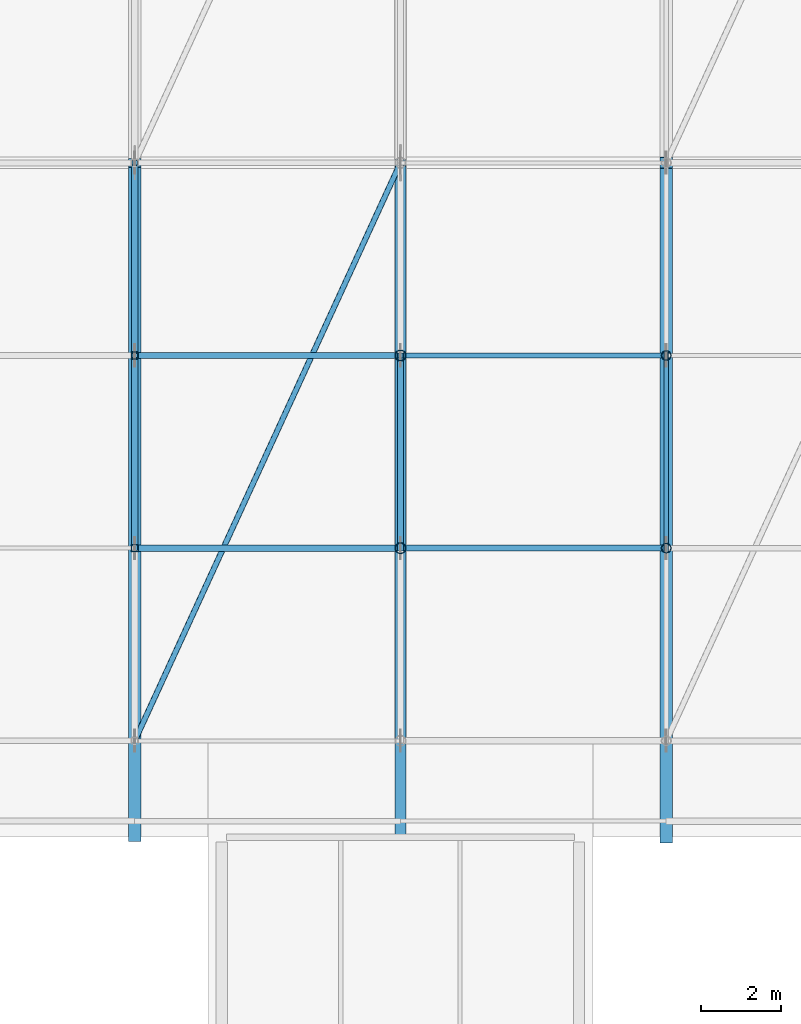
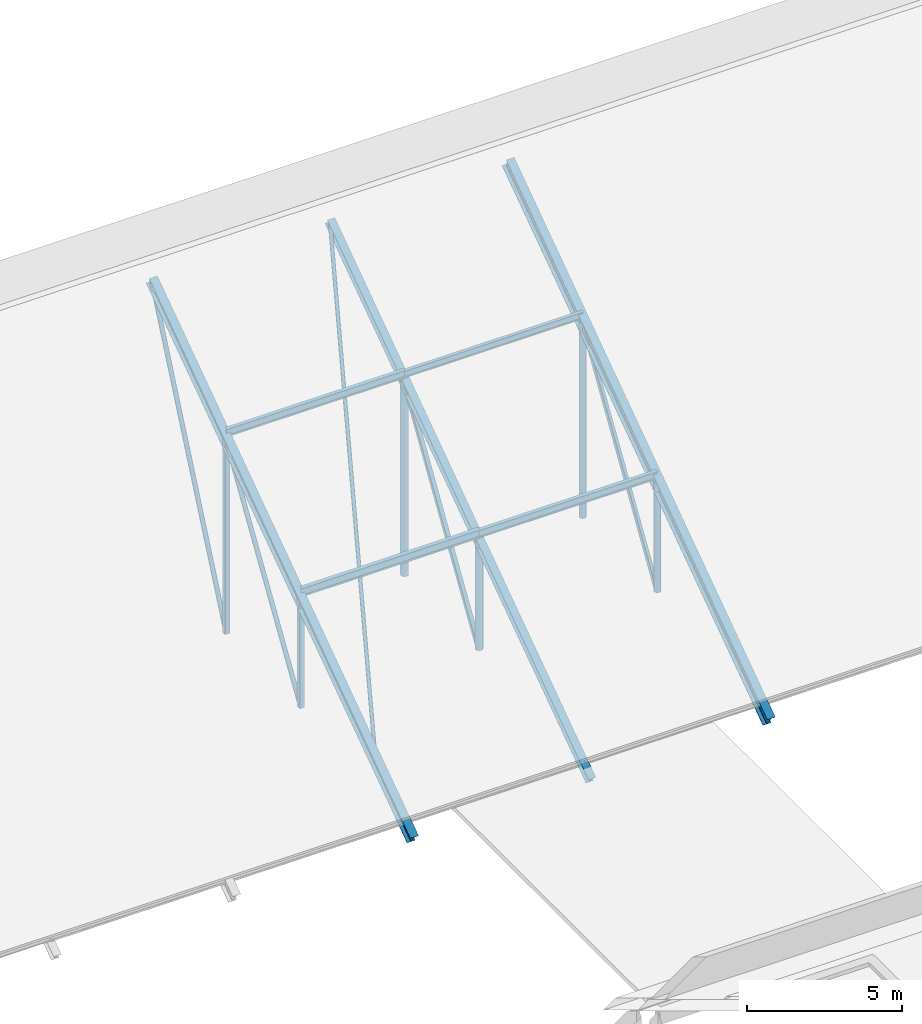
# One storey, part 57 of 134: 18 members.
"""IFC4 building model written with IfcOpenShell, lengths in metres."""

from ifc_helpers import new_model, si_unit, direction, frame, origin, origin_2d, place, context, subcontext, project, spatial, hollow_rectangle, hollow_circle, i_section, extrude, material, material_profile, profile_set, type_object, element, save


model = new_model("IFC4")

# Units and contexts
model_context = context("Model", 3, precision=1e-05, world=origin(), true_north=direction((0.0, 1.0)))
body_context = subcontext(model_context, "Body", "Model", "MODEL_VIEW")
ifc_project = project(units=[si_unit("LENGTHUNIT", "METRE"), si_unit("AREAUNIT", "SQUARE_METRE"), si_unit("VOLUMEUNIT", "CUBIC_METRE"), si_unit("PLANEANGLEUNIT", "RADIAN"), si_unit("MASSUNIT", "GRAM", prefix="KILO")], contexts=[model_context])

# Site, building, storey
site_placement = place(None, origin())
site = spatial("IfcSite", under=ifc_project, at=site_placement, CompositionType="ELEMENT")
building_placement = place(site_placement, origin())
building = spatial("IfcBuilding", under=site, at=building_placement, Name="Asteropetra Specialist Clinic", CompositionType="ELEMENT")
storey_placement = place(building_placement, frame((0.0, 0.0, 8.5)))
storey = spatial("IfcBuildingStorey", under=building, at=storey_placement, Name="L02", CompositionType="ELEMENT", Elevation=8.5)

# Members
ifc_material_1 = material(Name="Steel S355", Category="steel")
ifc_material_profile_1 = material_profile(ifc_material_1, hollow_circle(Radius=0.06982421875, WallThickness=0.008056640625, at=origin_2d()), Name="CHS 139.7x8.0")
ifc_profile_set_1 = profile_set([ifc_material_profile_1], Name="Steel S355")
member_type_1 = type_object("IfcMemberType", Name="TR-BRC-CHS139", PredefinedType="BRACE", material=ifc_profile_set_1)
member_1_placement = place(storey_placement, frame((113.3798828125, 76.800048828125, 1.3466796875), z_axis=(0.352113296071, 0.76590745054, 0.537960968787), x_axis=(-0.908582368877, 0.417705732503, 0.0)))
element("IfcMember", 1, at=member_1_placement, inside=storey, type_object=member_type_1, Name="Roof Wind Brace TRV1-RB1-05", PredefinedType="BRACE", context=body_context, shape_type="SweptSolid", body=[
    extrude(hollow_circle(Radius=0.06982421875, WallThickness=0.008056640625, at=origin_2d()), origin(), (0.0, 0.0, 1.0), 18.801025390625),
])
ifc_material_2 = material(Name="Steel S355", Category="steel")
ifc_material_profile_2 = material_profile(ifc_material_2, hollow_circle(Radius=0.084228515625, WallThickness=0.008056640625, at=origin_2d()), Name="CHS 168.3x8.0")
ifc_profile_set_2 = profile_set([ifc_material_profile_2], Name="Steel S355")
member_type_2 = type_object("IfcMemberType", Name="TR-BRC-CHS168", PredefinedType="BRACE", material=ifc_profile_set_2)
member_2_placement = place(storey_placement, frame((113.3798828125, 81.60009765625, 0.4951171875), z_axis=(0.0, 0.534254703951, 0.845323554212), x_axis=(-1.0, 0.0, 0.0)))
element("IfcMember", 2, at=member_2_placement, inside=storey, type_object=member_type_2, Name="Truss Web Diagonal TRV1-D05-1", PredefinedType="BRACE", context=body_context, shape_type="SweptSolid", body=[
    extrude(hollow_circle(Radius=0.084228515625, WallThickness=0.008056640625, at=origin_2d()), origin(), (0.0, 0.0, 1.0), 8.984130859375),
])
member_3_placement = place(storey_placement, frame((113.3798828125, 86.39990234375, 0.4951171875), z_axis=(0.0, 0.400994294125, 0.916080551087), x_axis=(-1.0, 0.0, 0.0)))
element("IfcMember", 3, at=member_3_placement, inside=storey, type_object=member_type_2, Name="Truss Web Diagonal TRV1-D05-2", PredefinedType="BRACE", context=body_context, shape_type="SweptSolid", body=[
    extrude(hollow_circle(Radius=0.084228515625, WallThickness=0.008056640625, at=origin_2d()), origin(), (0.0, 0.0, 1.0), 11.970458984375),
])
ifc_material_3 = material(Name="Steel S355", Category="steel")
ifc_material_profile_3 = material_profile(ifc_material_3, hollow_rectangle(XDim=0.1201171875, YDim=0.199951171875, WallThickness=0.010009765625, InnerFilletRadius=0.008056640625, OuterFilletRadius=0.01611328125, at=origin_2d()), Name="RHS 200x120x10.0")
ifc_profile_set_3 = profile_set([ifc_material_profile_3], Name="Steel S355")
member_type_3 = type_object("IfcMemberType", Name="TR-BRC-RHS200", PredefinedType="BRACE", material=ifc_profile_set_3)
member_4_placement = place(storey_placement, frame((126.6201171875, 81.60009765625, 0.419921875), z_axis=(0.0, 0.530496073374, 0.847687392932), x_axis=(-1.0, 0.0, 0.0)))
element("IfcMember", 4, at=member_4_placement, inside=storey, type_object=member_type_3, Name="Truss Web Diagonal TRV1-D07-1", PredefinedType="BRACE", context=body_context, shape_type="SweptSolid", body=[
    extrude(hollow_rectangle(XDim=0.1201171875, YDim=0.199951171875, WallThickness=0.010009765625, InnerFilletRadius=0.008056640625, OuterFilletRadius=0.01611328125, at=origin_2d()), origin(), (0.0, 0.0, 1.0), 9.0478515625),
])
ifc_material_4 = material(Name="Steel S355", Category="steel")
ifc_material_profile_4 = material_profile(ifc_material_4, hollow_rectangle(XDim=0.159912109375, YDim=0.159912109375, WallThickness=0.008056640625, InnerFilletRadius=0.008056640625, OuterFilletRadius=0.01611328125, at=origin_2d()), Name="SHS 160x160x8.0")
ifc_profile_set_4 = profile_set([ifc_material_profile_4], Name="Steel S355")
member_type_4 = type_object("IfcMemberType", Name="TR-BRC-SHS160", PredefinedType="BRACE", material=ifc_profile_set_4)
member_5_placement = place(storey_placement, frame((120.0, 81.60009765625, 0.469970703125), z_axis=(0.0, 0.532993018055, 0.846119638529), x_axis=(-1.0, 0.0, 0.0)))
element("IfcMember", 5, at=member_5_placement, inside=storey, type_object=member_type_4, Name="Truss Web Diagonal TRV1-D06-1", PredefinedType="BRACE", context=body_context, shape_type="SweptSolid", body=[
    extrude(hollow_rectangle(XDim=0.159912109375, YDim=0.159912109375, WallThickness=0.008056640625, InnerFilletRadius=0.008056640625, OuterFilletRadius=0.01611328125, at=origin_2d()), origin(), (0.0, 0.0, 1.0), 9.00537109375),
])
ifc_material_5 = material(Name="Steel S355", Category="steel")
ifc_material_profile_5 = material_profile(ifc_material_5, i_section(OverallWidth=0.300048828125, OverallDepth=0.389892578125, WebThickness=0.010986328125, FlangeThickness=0.01904296875, FilletRadius=0.027099609375, at=origin_2d()), Name="HEA 400")
ifc_profile_set_5 = profile_set([ifc_material_profile_5], Name="Steel S355")
member_type_5 = type_object("IfcMemberType", Name="TR-CHD-HEA400", PredefinedType="CHORD", material=ifc_profile_set_5)
member_6_placement = place(storey_placement, frame((113.3798828125, 74.39990234375, -0.339111328125), z_axis=(0.0, 0.818315202226, 0.574769718936), x_axis=(-1.0, 0.0, 0.0)))
element("IfcMember", 6, at=member_6_placement, inside=storey, type_object=member_type_5, Name="Truss South Top Chord TRV1-TCS05", PredefinedType="CHORD", context=body_context, shape_type="SweptSolid", body=[
    extrude(i_section(OverallWidth=0.300048828125, OverallDepth=0.389892578125, WebThickness=0.010986328125, FlangeThickness=0.01904296875, FilletRadius=0.027099609375, at=origin_2d()), origin(), (0.0, 0.0, 1.0), 20.530029296875),
])
ifc_material_6 = material(Name="Steel S355", Category="steel")
ifc_material_profile_6 = material_profile(ifc_material_6, i_section(OverallWidth=0.300048828125, OverallDepth=0.489990234375, WebThickness=0.011962890625, FlangeThickness=0.02294921875, FilletRadius=0.027099609375, at=origin_2d()), Name="HEA 500")
ifc_profile_set_6 = profile_set([ifc_material_profile_6], Name="Steel S355")
member_type_6 = type_object("IfcMemberType", Name="TR-CHD-HEA500", PredefinedType="CHORD", material=ifc_profile_set_6)
member_7_placement = place(storey_placement, frame((126.6201171875, 74.39990234375, -0.339111328125), z_axis=(0.0, 0.818315202226, 0.574769718936), x_axis=(-1.0, 0.0, 0.0)))
element("IfcMember", 7, at=member_7_placement, inside=storey, type_object=member_type_6, Name="Truss South Top Chord TRV1-TCS07", PredefinedType="CHORD", context=body_context, shape_type="SweptSolid", body=[
    extrude(i_section(OverallWidth=0.300048828125, OverallDepth=0.489990234375, WebThickness=0.011962890625, FlangeThickness=0.02294921875, FilletRadius=0.027099609375, at=origin_2d()), origin(), (0.0, 0.0, 1.0), 20.530029296875),
])
ifc_material_7 = material(Name="Steel S355", Category="steel")
ifc_material_profile_7 = material_profile(ifc_material_7, i_section(OverallWidth=0.280029296875, OverallDepth=0.280029296875, WebThickness=0.010498046875, FlangeThickness=0.01806640625, FilletRadius=0.02392578125, at=origin_2d()), Name="HEB 280")
ifc_profile_set_7 = profile_set([ifc_material_profile_7], Name="Steel S355")
member_type_7 = type_object("IfcMemberType", Name="TR-CHD-HEB280", PredefinedType="CHORD", material=ifc_profile_set_7)
member_8_placement = place(storey_placement, frame((120.0, 74.39990234375, -0.339111328125), z_axis=(0.0, 0.818315202226, 0.574769718936), x_axis=(-1.0, 0.0, 0.0)))
element("IfcMember", 8, at=member_8_placement, inside=storey, type_object=member_type_7, Name="Truss South Top Chord TRV1-TCS06", PredefinedType="CHORD", context=body_context, shape_type="SweptSolid", body=[
    extrude(i_section(OverallWidth=0.280029296875, OverallDepth=0.280029296875, WebThickness=0.010498046875, FlangeThickness=0.01806640625, FilletRadius=0.02392578125, at=origin_2d()), origin(), (0.0, 0.0, 1.0), 20.530029296875),
])
ifc_material_8 = material(Name="Steel S355", Category="steel")
ifc_material_profile_8 = material_profile(ifc_material_8, i_section(OverallWidth=0.135009765625, OverallDepth=0.27001953125, WebThickness=0.006591796875, FlangeThickness=0.01025390625, FilletRadius=0.014892578125, at=origin_2d()), Name="IPE 270")
ifc_profile_set_8 = profile_set([ifc_material_profile_8], Name="Steel S355")
member_type_8 = type_object("IfcMemberType", Name="TR-PUR-IPE270", PredefinedType="PURLIN", material=ifc_profile_set_8)
member_9_placement = place(storey_placement, frame((120.0, 86.39990234375, 8.359619140625), z_axis=(1.0, 0.0, 0.0), x_axis=(0.0, 1.0, 0.0)))
element("IfcMember", 9, at=member_9_placement, inside=storey, type_object=member_type_8, Name="Roof Purlin TRV1-P06-04", PredefinedType="PURLIN", context=body_context, shape_type="SweptSolid", body=[
    extrude(i_section(OverallWidth=0.135009765625, OverallDepth=0.27001953125, WebThickness=0.006591796875, FlangeThickness=0.01025390625, FilletRadius=0.014892578125, at=origin_2d()), origin(), (0.0, 0.0, 1.0), 6.6201171875),
])
ifc_material_9 = material(Name="Steel S355", Category="steel")
ifc_material_profile_9 = material_profile(ifc_material_9, i_section(OverallWidth=0.14990234375, OverallDepth=0.300048828125, WebThickness=0.007080078125, FlangeThickness=0.0107421875, FilletRadius=0.014892578125, at=origin_2d()), Name="IPE 300")
ifc_profile_set_9 = profile_set([ifc_material_profile_9], Name="Steel S355")
member_type_9 = type_object("IfcMemberType", Name="TR-PUR-IPE300", PredefinedType="PURLIN", material=ifc_profile_set_9)
for number, where, z_axis, x_axis, name in (
    (10, (113.3798828125, 86.39990234375, 8.37451171875), (1.0, 0.0, 0.0), (0.0, 1.0, 0.0), "Roof Purlin TRV1-P05-04"),
    (11, (120.0, 81.60009765625, 5.003173828125), (1.0, 0.0, 0.0), (0.0, 1.0, 0.0), "Roof Purlin TRV1-P06-03"),
):
    element("IfcMember", number, at=place(storey_placement, frame(where, z_axis=z_axis, x_axis=x_axis)), inside=storey, type_object=member_type_9, Name=name, PredefinedType="PURLIN", context=body_context, shape_type="SweptSolid", body=[
        extrude(i_section(OverallWidth=0.14990234375, OverallDepth=0.300048828125, WebThickness=0.007080078125, FlangeThickness=0.0107421875, FilletRadius=0.014892578125, at=origin_2d()), origin(), (0.0, 0.0, 1.0), 6.6201171875),
    ])
ifc_material_10 = material(Name="Steel S355", Category="steel")
ifc_material_profile_10 = material_profile(ifc_material_10, i_section(OverallWidth=0.159912109375, OverallDepth=0.330078125, WebThickness=0.007568359375, FlangeThickness=0.011474609375, FilletRadius=0.01806640625, at=origin_2d()), Name="IPE 330")
ifc_profile_set_10 = profile_set([ifc_material_profile_10], Name="Steel S355")
member_type_10 = type_object("IfcMemberType", Name="TR-PUR-IPE330", PredefinedType="PURLIN", material=ifc_profile_set_10)
member_10_placement = place(storey_placement, frame((113.3798828125, 81.60009765625, 5.01806640625), z_axis=(1.0, 0.0, 0.0), x_axis=(0.0, 1.0, 0.0)))
element("IfcMember", 12, at=member_10_placement, inside=storey, type_object=member_type_10, Name="Roof Purlin TRV1-P05-03", PredefinedType="PURLIN", context=body_context, shape_type="SweptSolid", body=[
    extrude(i_section(OverallWidth=0.159912109375, OverallDepth=0.330078125, WebThickness=0.007568359375, FlangeThickness=0.011474609375, FilletRadius=0.01806640625, at=origin_2d()), origin(), (0.0, 0.0, 1.0), 6.6201171875),
])
ifc_material_11 = material(Name="Steel S355", Category="steel")
ifc_material_profile_11 = material_profile(ifc_material_11, hollow_circle(Radius=0.122314453125, WallThickness=0.012451171875, at=origin_2d()), Name="CHS 244.5x12.5")
ifc_profile_set_11 = profile_set([ifc_material_profile_11], Name="Steel S355")
member_type_11 = type_object("IfcMemberType", Name="TR-STR-CHS244", PredefinedType="STRUT", material=ifc_profile_set_11)
member_11_placement = place(storey_placement, frame((126.6201171875, 81.60009765625, 0.419921875), z_axis=(0.0, 0.0, 1.0), x_axis=(1.0, 0.0, 0.0)))
element("IfcMember", 13, at=member_11_placement, inside=storey, type_object=member_type_11, Name="Truss Web Strut TRV1-V07-1", PredefinedType="STRUT", context=body_context, shape_type="SweptSolid", body=[
    extrude(hollow_circle(Radius=0.122314453125, WallThickness=0.012451171875, at=origin_2d()), origin(), (0.0, 0.0, 1.0), 4.298095703125),
])
member_12_placement = place(storey_placement, frame((126.6201171875, 86.39990234375, 0.419921875), z_axis=(0.0, 0.0, 1.0), x_axis=(1.0, 0.0, 0.0)))
element("IfcMember", 14, at=member_12_placement, inside=storey, type_object=member_type_11, Name="Truss Web Strut TRV1-V07-2", PredefinedType="STRUT", context=body_context, shape_type="SweptSolid", body=[
    extrude(hollow_circle(Radius=0.122314453125, WallThickness=0.012451171875, at=origin_2d()), origin(), (0.0, 0.0, 1.0), 7.669677734375),
])
ifc_material_12 = material(Name="Steel S355", Category="steel")
ifc_material_profile_12 = material_profile(ifc_material_12, hollow_circle(Radius=0.136474609375, WallThickness=0.012451171875, at=origin_2d()), Name="CHS 273.0x12.5")
ifc_profile_set_12 = profile_set([ifc_material_profile_12], Name="Steel S355")
member_type_12 = type_object("IfcMemberType", Name="TR-STR-CHS273", PredefinedType="STRUT", material=ifc_profile_set_12)
member_13_placement = place(storey_placement, frame((120.0, 81.60009765625, 0.469970703125), z_axis=(0.0, 0.0, 1.0), x_axis=(1.0, 0.0, 0.0)))
element("IfcMember", 15, at=member_13_placement, inside=storey, type_object=member_type_12, Name="Truss Web Strut TRV1-V06-1", PredefinedType="STRUT", context=body_context, shape_type="SweptSolid", body=[
    extrude(hollow_circle(Radius=0.136474609375, WallThickness=0.012451171875, at=origin_2d()), origin(), (0.0, 0.0, 1.0), 4.248046875),
])
member_14_placement = place(storey_placement, frame((120.0, 86.39990234375, 0.469970703125), z_axis=(0.0, 0.0, 1.0), x_axis=(1.0, 0.0, 0.0)))
element("IfcMember", 16, at=member_14_placement, inside=storey, type_object=member_type_12, Name="Truss Web Strut TRV1-V06-2", PredefinedType="STRUT", context=body_context, shape_type="SweptSolid", body=[
    extrude(hollow_circle(Radius=0.136474609375, WallThickness=0.012451171875, at=origin_2d()), origin(), (0.0, 0.0, 1.0), 7.61962890625),
])
ifc_material_13 = material(Name="Steel S355", Category="steel")
ifc_material_profile_13 = material_profile(ifc_material_13, hollow_rectangle(XDim=0.179931640625, YDim=0.179931640625, WallThickness=0.010009765625, InnerFilletRadius=0.008056640625, OuterFilletRadius=0.01611328125, at=origin_2d()), Name="SHS 180x180x10.0")
ifc_profile_set_13 = profile_set([ifc_material_profile_13], Name="Steel S355")
member_type_13 = type_object("IfcMemberType", Name="TR-STR-SHS180", PredefinedType="STRUT", material=ifc_profile_set_13)
member_15_placement = place(storey_placement, frame((113.3798828125, 81.60009765625, 0.4951171875), z_axis=(0.0, 0.0, 1.0), x_axis=(1.0, 0.0, 0.0)))
element("IfcMember", 17, at=member_15_placement, inside=storey, type_object=member_type_13, Name="Truss Web Strut TRV1-V05-1", PredefinedType="STRUT", context=body_context, shape_type="SweptSolid", body=[
    extrude(hollow_rectangle(XDim=0.179931640625, YDim=0.179931640625, WallThickness=0.010009765625, InnerFilletRadius=0.008056640625, OuterFilletRadius=0.01611328125, at=origin_2d()), origin(), (0.0, 0.0, 1.0), 4.222900390625),
])
member_16_placement = place(storey_placement, frame((113.3798828125, 86.39990234375, 0.4951171875), z_axis=(0.0, 0.0, 1.0), x_axis=(1.0, 0.0, 0.0)))
element("IfcMember", 18, at=member_16_placement, inside=storey, type_object=member_type_13, Name="Truss Web Strut TRV1-V05-2", PredefinedType="STRUT", context=body_context, shape_type="SweptSolid", body=[
    extrude(hollow_rectangle(XDim=0.179931640625, YDim=0.179931640625, WallThickness=0.010009765625, InnerFilletRadius=0.008056640625, OuterFilletRadius=0.01611328125, at=origin_2d()), origin(), (0.0, 0.0, 1.0), 7.594482421875),
])

save(model, "model.ifc")
